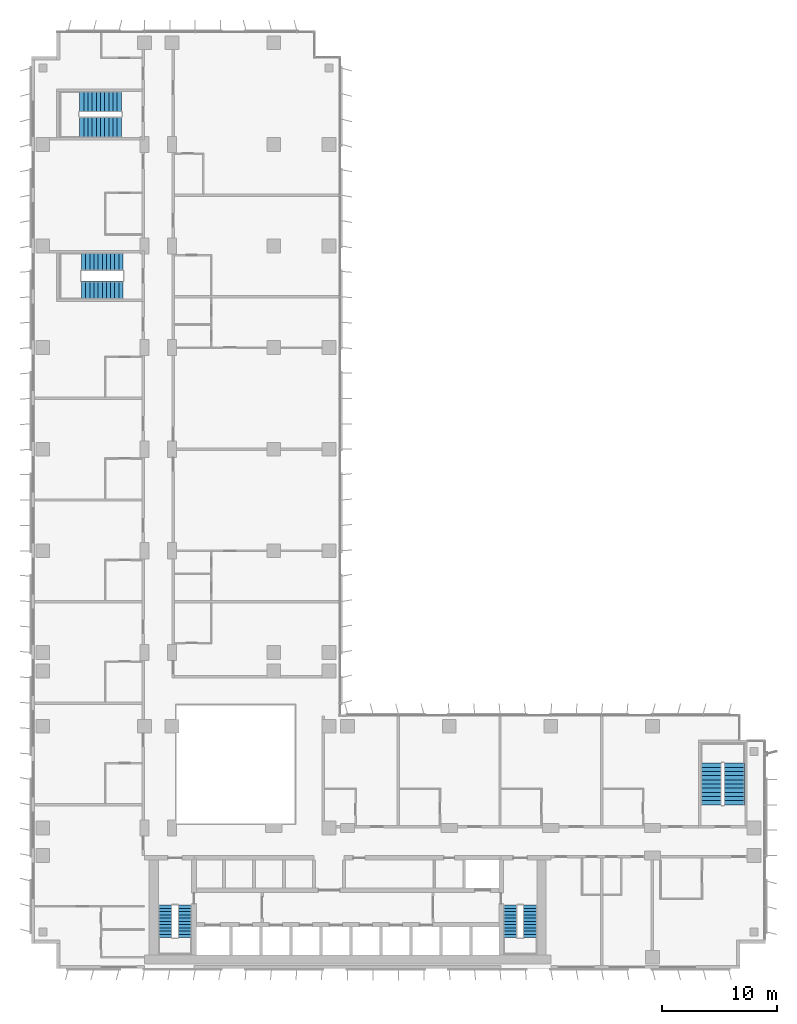
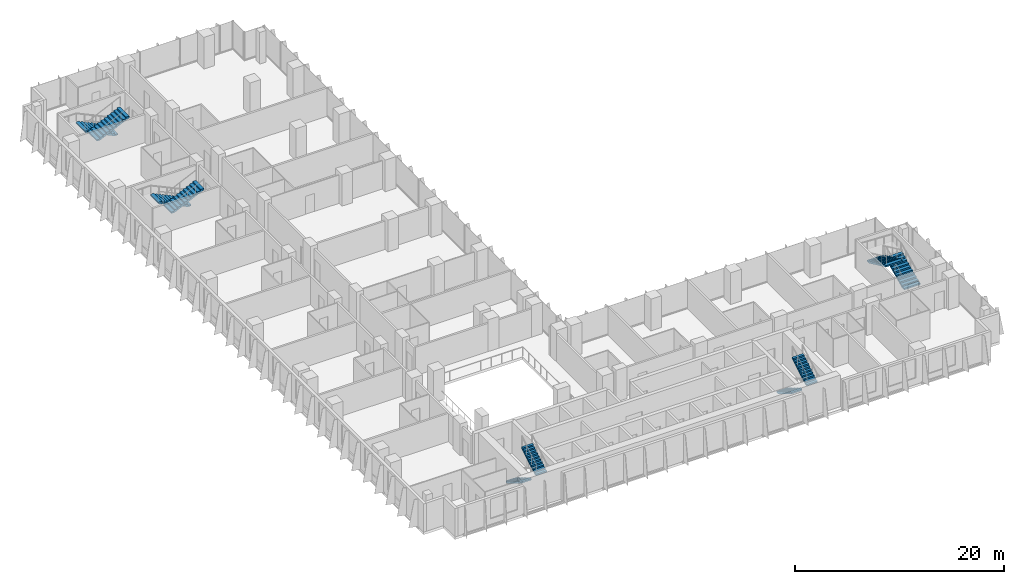
# One storey, part 18 of 22: 10 stair flights, 5 elements without a shape of their own.
"""IFC4 building model written with IfcOpenShell, lengths in metres."""

from ifc_helpers import new_model, si_unit, direction, frame, origin, place, context, subcontext, project, spatial, polyline, outline, extrude, material, type_object, element, aggregate, save


model = new_model("IFC4")

# Units and contexts
model_context = context("Model", 3, precision=1e-05, world=origin(), true_north=direction((0.0, 1.0)))
body_context = subcontext(model_context, "Body", "Model", "MODEL_VIEW")
ifc_project = project(units=[si_unit("LENGTHUNIT", "METRE"), si_unit("AREAUNIT", "SQUARE_METRE"), si_unit("VOLUMEUNIT", "CUBIC_METRE"), si_unit("PLANEANGLEUNIT", "RADIAN"), si_unit("MASSUNIT", "GRAM", prefix="KILO")], contexts=[model_context])

# Site, building, storey
site_placement = place(None, origin())
site = spatial("IfcSite", under=ifc_project, at=site_placement, CompositionType="ELEMENT")
building_placement = place(site_placement, origin())
building = spatial("IfcBuilding", under=site, at=building_placement, Name="Kemantara Hotel Tower", CompositionType="ELEMENT")
storey_placement = place(building_placement, frame((0.0, 0.0, 98.199951171875)))
storey = spatial("IfcBuildingStorey", under=building, at=storey_placement, Name="L23", CompositionType="ELEMENT", Elevation=98.199951171875)

# Stair, stair flights
ifc_material = material(Name="Concrete fc 40 MPa", Category="concrete")
stair_type_1 = type_object("IfcStairType", Name="Stair 1200 wide 22 risers of 168 x 280 mm", PredefinedType="HALF_TURN_STAIR", material=ifc_material)
stair_1_placement = place(storey_placement, origin())
stair_1 = element("IfcStair", 1, at=stair_1_placement, inside=storey, type_object=stair_type_1, Name="L23 Exit stair ST1", PredefinedType="HALF_TURN_STAIR")
stair_flight_type_1 = type_object("IfcStairFlightType", Name="Stair flight 1200 wide 168 x 280 mm", PredefinedType="STRAIGHT", material=ifc_material)
stair_flight_1_placement = place(storey_placement, frame((11.60009765625, 5.5, 0.0), z_axis=(0.0, 0.0, 1.0), x_axis=(0.0, -1.0, 0.0)))
stair_flight_1 = element("IfcStairFlight", 2, at=stair_flight_1_placement, type_object=stair_flight_type_1, Name="ST1 flight 1", NumberOfRisers=11, NumberOfTreads=10, PredefinedType="STRAIGHT", RiserHeight=0.168181818, TreadLength=0.28, context=body_context, shape_type="SweptSolid", body=[
    extrude(outline(polyline([(0.0, 0.0), (0.0, 0.168212890625), (0.280029296875, 0.168212890625), (0.280029296875, 0.33642578125), (0.56005859375, 0.33642578125), (0.56005859375, 0.504638671875), (0.840087890625, 0.504638671875), (0.840087890625, 0.672607421875), (1.1201171875, 0.672607421875), (1.1201171875, 0.8408203125), (1.39990234375, 0.8408203125), (1.39990234375, 1.009033203125), (1.679931640625, 1.009033203125), (1.679931640625, 1.17724609375), (1.9599609375, 1.17724609375), (1.9599609375, 1.345458984375), (2.239990234375, 1.345458984375), (2.239990234375, 1.513671875), (2.52001953125, 1.513671875), (2.52001953125, 1.681884765625), (2.800048828125, 1.681884765625), (2.800048828125, 1.85009765625), (2.800048828125, 1.5068359375), (0.291015625, 0.0), (0.0, 0.0)])), frame((0.0, 0.60009765625, 0.0), z_axis=(0.0, -1.0, 0.0), x_axis=(1.0, 0.0, 0.0)), (0.0, 0.0, 1.0), 1.199951171875),
])
stair_flight_2_placement = place(storey_placement, frame((13.300048828125, 2.699951171875, 1.85009765625), z_axis=(0.0, 0.0, 1.0), x_axis=(0.0, 1.0, 0.0)))
stair_flight_2 = element("IfcStairFlight", 3, at=stair_flight_2_placement, type_object=stair_flight_type_1, Name="ST1 flight 2", NumberOfRisers=11, NumberOfTreads=10, PredefinedType="STRAIGHT", RiserHeight=0.168181818, TreadLength=0.28, context=body_context, shape_type="SweptSolid", body=[
    extrude(outline(polyline([(0.0, 0.0), (0.0, 0.168212890625), (0.280029296875, 0.168212890625), (0.280029296875, 0.33642578125), (0.56005859375, 0.33642578125), (0.56005859375, 0.504638671875), (0.840087890625, 0.504638671875), (0.840087890625, 0.672607421875), (1.1201171875, 0.672607421875), (1.1201171875, 0.8408203125), (1.39990234375, 0.8408203125), (1.39990234375, 1.009033203125), (1.679931640625, 1.009033203125), (1.679931640625, 1.17724609375), (1.9599609375, 1.17724609375), (1.9599609375, 1.345458984375), (2.239990234375, 1.345458984375), (2.239990234375, 1.513671875), (2.52001953125, 1.513671875), (2.52001953125, 1.681884765625), (2.800048828125, 1.681884765625), (2.800048828125, 1.85009765625), (2.800048828125, 1.5068359375), (0.291015625, 0.0), (0.0, 0.0)])), frame((0.0, 0.60009765625, 0.0), z_axis=(0.0, -1.0, 0.0), x_axis=(1.0, 0.0, 0.0)), (0.0, 0.0, 1.0), 1.199951171875),
])
aggregate(stair_1, [stair_flight_1, stair_flight_2])

stair_2_placement = place(storey_placement, origin())
stair_2 = element("IfcStair", 4, at=stair_2_placement, inside=storey, type_object=stair_type_1, Name="L23 Exit stair ST2", PredefinedType="HALF_TURN_STAIR")
stair_flight_3_placement = place(storey_placement, frame((41.5, 5.5, 0.0), z_axis=(0.0, 0.0, 1.0), x_axis=(0.0, -1.0, 0.0)))
stair_flight_3 = element("IfcStairFlight", 5, at=stair_flight_3_placement, type_object=stair_flight_type_1, Name="ST2 flight 1", NumberOfRisers=11, NumberOfTreads=10, PredefinedType="STRAIGHT", RiserHeight=0.168181818, TreadLength=0.28, context=body_context, shape_type="SweptSolid", body=[
    extrude(outline(polyline([(0.0, 0.0), (0.0, 0.168212890625), (0.280029296875, 0.168212890625), (0.280029296875, 0.33642578125), (0.56005859375, 0.33642578125), (0.56005859375, 0.504638671875), (0.840087890625, 0.504638671875), (0.840087890625, 0.672607421875), (1.1201171875, 0.672607421875), (1.1201171875, 0.8408203125), (1.39990234375, 0.8408203125), (1.39990234375, 1.009033203125), (1.679931640625, 1.009033203125), (1.679931640625, 1.17724609375), (1.9599609375, 1.17724609375), (1.9599609375, 1.345458984375), (2.239990234375, 1.345458984375), (2.239990234375, 1.513671875), (2.52001953125, 1.513671875), (2.52001953125, 1.681884765625), (2.800048828125, 1.681884765625), (2.800048828125, 1.85009765625), (2.800048828125, 1.5068359375), (0.291015625, 0.0), (0.0, 0.0)])), frame((0.0, 0.60009765625, 0.0), z_axis=(0.0, -1.0, 0.0), x_axis=(1.0, 0.0, 0.0)), (0.0, 0.0, 1.0), 1.199951171875),
])
stair_flight_4_placement = place(storey_placement, frame((43.199951171875, 2.699951171875, 1.85009765625), z_axis=(0.0, 0.0, 1.0), x_axis=(0.0, 1.0, 0.0)))
stair_flight_4 = element("IfcStairFlight", 6, at=stair_flight_4_placement, type_object=stair_flight_type_1, Name="ST2 flight 2", NumberOfRisers=11, NumberOfTreads=10, PredefinedType="STRAIGHT", RiserHeight=0.168181818, TreadLength=0.28, context=body_context, shape_type="SweptSolid", body=[
    extrude(outline(polyline([(0.0, 0.0), (0.0, 0.168212890625), (0.280029296875, 0.168212890625), (0.280029296875, 0.33642578125), (0.56005859375, 0.33642578125), (0.56005859375, 0.504638671875), (0.840087890625, 0.504638671875), (0.840087890625, 0.672607421875), (1.1201171875, 0.672607421875), (1.1201171875, 0.8408203125), (1.39990234375, 0.8408203125), (1.39990234375, 1.009033203125), (1.679931640625, 1.009033203125), (1.679931640625, 1.17724609375), (1.9599609375, 1.17724609375), (1.9599609375, 1.345458984375), (2.239990234375, 1.345458984375), (2.239990234375, 1.513671875), (2.52001953125, 1.513671875), (2.52001953125, 1.681884765625), (2.800048828125, 1.681884765625), (2.800048828125, 1.85009765625), (2.800048828125, 1.5068359375), (0.291015625, 0.0), (0.0, 0.0)])), frame((0.0, 0.60009765625, 0.0), z_axis=(0.0, -1.0, 0.0), x_axis=(1.0, 0.0, 0.0)), (0.0, 0.0, 1.0), 1.199951171875),
])
aggregate(stair_2, [stair_flight_3, stair_flight_4])

stair_type_2 = type_object("IfcStairType", Name="Stair 1550 wide 22 risers of 168 x 360 mm", PredefinedType="HALF_TURN_STAIR", material=ifc_material)
stair_3_placement = place(storey_placement, origin())
stair_3 = element("IfcStair", 7, at=stair_3_placement, inside=storey, type_object=stair_type_2, Name="L23 Exit stair ST4", PredefinedType="HALF_TURN_STAIR")
stair_flight_type_2 = type_object("IfcStairFlightType", Name="Stair flight 1550 wide 168 x 360 mm", PredefinedType="STRAIGHT", material=ifc_material)
stair_flight_5_placement = place(storey_placement, frame((7.949951171875, 61.22509765625, 0.0), z_axis=(0.0, 0.0, 1.0), x_axis=(-1.0, 0.0, 0.0)))
stair_flight_5 = element("IfcStairFlight", 8, at=stair_flight_5_placement, type_object=stair_flight_type_2, Name="ST4 flight 1", NumberOfRisers=11, NumberOfTreads=10, PredefinedType="STRAIGHT", RiserHeight=0.168181818, TreadLength=0.36, context=body_context, shape_type="SweptSolid", body=[
    extrude(outline(polyline([(0.0, 0.0), (0.0, 0.168212890625), (0.360107421875, 0.168212890625), (0.360107421875, 0.33642578125), (0.719970703125, 0.33642578125), (0.719970703125, 0.504638671875), (1.080078125, 0.504638671875), (1.080078125, 0.672607421875), (1.43994140625, 0.672607421875), (1.43994140625, 0.8408203125), (1.800048828125, 0.8408203125), (1.800048828125, 1.009033203125), (2.159912109375, 1.009033203125), (2.159912109375, 1.17724609375), (2.52001953125, 1.17724609375), (2.52001953125, 1.345458984375), (2.8798828125, 1.345458984375), (2.8798828125, 1.513671875), (3.239990234375, 1.513671875), (3.239990234375, 1.681884765625), (3.60009765625, 1.681884765625), (3.60009765625, 1.85009765625), (3.60009765625, 1.516357421875), (0.354248046875, 0.0), (0.0, 0.0)])), frame((0.0, 0.77490234375, 0.0), z_axis=(0.0, -1.0, 0.0), x_axis=(1.0, 0.0, 0.0)), (0.0, 0.0, 1.0), 1.550048828125),
])
stair_flight_6_placement = place(storey_placement, frame((4.35009765625, 58.77490234375, 1.85009765625), z_axis=(0.0, 0.0, 1.0), x_axis=(1.0, 0.0, 0.0)))
stair_flight_6 = element("IfcStairFlight", 9, at=stair_flight_6_placement, type_object=stair_flight_type_2, Name="ST4 flight 2", NumberOfRisers=11, NumberOfTreads=10, PredefinedType="STRAIGHT", RiserHeight=0.168181818, TreadLength=0.36, context=body_context, shape_type="SweptSolid", body=[
    extrude(outline(polyline([(0.0, 0.0), (0.0, 0.168212890625), (0.360107421875, 0.168212890625), (0.360107421875, 0.33642578125), (0.719970703125, 0.33642578125), (0.719970703125, 0.504638671875), (1.080078125, 0.504638671875), (1.080078125, 0.672607421875), (1.43994140625, 0.672607421875), (1.43994140625, 0.8408203125), (1.800048828125, 0.8408203125), (1.800048828125, 1.009033203125), (2.159912109375, 1.009033203125), (2.159912109375, 1.17724609375), (2.52001953125, 1.17724609375), (2.52001953125, 1.345458984375), (2.8798828125, 1.345458984375), (2.8798828125, 1.513671875), (3.239990234375, 1.513671875), (3.239990234375, 1.681884765625), (3.60009765625, 1.681884765625), (3.60009765625, 1.85009765625), (3.60009765625, 1.516357421875), (0.354248046875, 0.0), (0.0, 0.0)])), frame((0.0, 0.77490234375, 0.0), z_axis=(0.0, -1.0, 0.0), x_axis=(1.0, 0.0, 0.0)), (0.0, 0.0, 1.0), 1.550048828125),
])
aggregate(stair_3, [stair_flight_5, stair_flight_6])

stair_type_3 = type_object("IfcStairType", Name="Stair 1800 wide 22 risers of 168 x 360 mm", PredefinedType="HALF_TURN_STAIR", material=ifc_material)
stair_4_placement = place(storey_placement, origin())
stair_4 = element("IfcStair", 10, at=stair_4_placement, inside=storey, type_object=stair_type_3, Name="L23 Exit stair ST3", PredefinedType="HALF_TURN_STAIR")
stair_flight_type_3 = type_object("IfcStairFlightType", Name="Stair flight 1800 wide 168 x 360 mm", PredefinedType="STRAIGHT", material=ifc_material)
stair_flight_7_placement = place(storey_placement, frame((60.89990234375, 14.199951171875, 0.0), z_axis=(0.0, 0.0, 1.0), x_axis=(0.0, 1.0, 0.0)))
stair_flight_7 = element("IfcStairFlight", 11, at=stair_flight_7_placement, type_object=stair_flight_type_3, Name="ST3 flight 1", NumberOfRisers=11, NumberOfTreads=10, PredefinedType="STRAIGHT", RiserHeight=0.168181818, TreadLength=0.36, context=body_context, shape_type="SweptSolid", body=[
    extrude(outline(polyline([(0.0, 0.0), (0.0, 0.168212890625), (0.360107421875, 0.168212890625), (0.360107421875, 0.33642578125), (0.719970703125, 0.33642578125), (0.719970703125, 0.504638671875), (1.080078125, 0.504638671875), (1.080078125, 0.672607421875), (1.43994140625, 0.672607421875), (1.43994140625, 0.8408203125), (1.800048828125, 0.8408203125), (1.800048828125, 1.009033203125), (2.159912109375, 1.009033203125), (2.159912109375, 1.17724609375), (2.52001953125, 1.17724609375), (2.52001953125, 1.345458984375), (2.8798828125, 1.345458984375), (2.8798828125, 1.513671875), (3.239990234375, 1.513671875), (3.239990234375, 1.681884765625), (3.60009765625, 1.681884765625), (3.60009765625, 1.85009765625), (3.60009765625, 1.516357421875), (0.354248046875, 0.0), (0.0, 0.0)])), frame((0.0, 0.89990234375, 0.0), z_axis=(0.0, -1.0, 0.0), x_axis=(1.0, 0.0, 0.0)), (0.0, 0.0, 1.0), 1.800048828125),
])
stair_flight_8_placement = place(storey_placement, frame((58.89990234375, 17.800048828125, 1.85009765625), z_axis=(0.0, 0.0, 1.0), x_axis=(0.0, -1.0, 0.0)))
stair_flight_8 = element("IfcStairFlight", 12, at=stair_flight_8_placement, type_object=stair_flight_type_3, Name="ST3 flight 2", NumberOfRisers=11, NumberOfTreads=10, PredefinedType="STRAIGHT", RiserHeight=0.168181818, TreadLength=0.36, context=body_context, shape_type="SweptSolid", body=[
    extrude(outline(polyline([(0.0, 0.0), (0.0, 0.168212890625), (0.360107421875, 0.168212890625), (0.360107421875, 0.33642578125), (0.719970703125, 0.33642578125), (0.719970703125, 0.504638671875), (1.080078125, 0.504638671875), (1.080078125, 0.672607421875), (1.43994140625, 0.672607421875), (1.43994140625, 0.8408203125), (1.800048828125, 0.8408203125), (1.800048828125, 1.009033203125), (2.159912109375, 1.009033203125), (2.159912109375, 1.17724609375), (2.52001953125, 1.17724609375), (2.52001953125, 1.345458984375), (2.8798828125, 1.345458984375), (2.8798828125, 1.513671875), (3.239990234375, 1.513671875), (3.239990234375, 1.681884765625), (3.60009765625, 1.681884765625), (3.60009765625, 1.85009765625), (3.60009765625, 1.516357421875), (0.354248046875, 0.0), (0.0, 0.0)])), frame((0.0, 0.89990234375, 0.0), z_axis=(0.0, -1.0, 0.0), x_axis=(1.0, 0.0, 0.0)), (0.0, 0.0, 1.0), 1.800048828125),
])
aggregate(stair_4, [stair_flight_7, stair_flight_8])

stair_5_placement = place(storey_placement, origin())
stair_5 = element("IfcStair", 13, at=stair_5_placement, inside=storey, type_object=stair_type_3, Name="L23 Exit stair ST6", PredefinedType="HALF_TURN_STAIR")
stair_flight_9_placement = place(storey_placement, frame((7.800048828125, 75.10009765625, 0.0), z_axis=(0.0, 0.0, 1.0), x_axis=(-1.0, 0.0, 0.0)))
stair_flight_9 = element("IfcStairFlight", 14, at=stair_flight_9_placement, type_object=stair_flight_type_3, Name="ST6 flight 1", NumberOfRisers=11, NumberOfTreads=10, PredefinedType="STRAIGHT", RiserHeight=0.168181818, TreadLength=0.36, context=body_context, shape_type="SweptSolid", body=[
    extrude(outline(polyline([(0.0, 0.0), (0.0, 0.168212890625), (0.360107421875, 0.168212890625), (0.360107421875, 0.33642578125), (0.719970703125, 0.33642578125), (0.719970703125, 0.504638671875), (1.080078125, 0.504638671875), (1.080078125, 0.672607421875), (1.43994140625, 0.672607421875), (1.43994140625, 0.8408203125), (1.800048828125, 0.8408203125), (1.800048828125, 1.009033203125), (2.159912109375, 1.009033203125), (2.159912109375, 1.17724609375), (2.52001953125, 1.17724609375), (2.52001953125, 1.345458984375), (2.8798828125, 1.345458984375), (2.8798828125, 1.513671875), (3.239990234375, 1.513671875), (3.239990234375, 1.681884765625), (3.60009765625, 1.681884765625), (3.60009765625, 1.85009765625), (3.60009765625, 1.516357421875), (0.354248046875, 0.0), (0.0, 0.0)])), frame((0.0, 0.89990234375, 0.0), z_axis=(0.0, -1.0, 0.0), x_axis=(1.0, 0.0, 0.0)), (0.0, 0.0, 1.0), 1.800048828125),
])
stair_flight_10_placement = place(storey_placement, frame((4.199951171875, 72.89990234375, 1.85009765625), z_axis=(0.0, 0.0, 1.0), x_axis=(1.0, 0.0, 0.0)))
stair_flight_10 = element("IfcStairFlight", 15, at=stair_flight_10_placement, type_object=stair_flight_type_3, Name="ST6 flight 2", NumberOfRisers=11, NumberOfTreads=10, PredefinedType="STRAIGHT", RiserHeight=0.168181818, TreadLength=0.36, context=body_context, shape_type="SweptSolid", body=[
    extrude(outline(polyline([(0.0, 0.0), (0.0, 0.168212890625), (0.360107421875, 0.168212890625), (0.360107421875, 0.33642578125), (0.719970703125, 0.33642578125), (0.719970703125, 0.504638671875), (1.080078125, 0.504638671875), (1.080078125, 0.672607421875), (1.43994140625, 0.672607421875), (1.43994140625, 0.8408203125), (1.800048828125, 0.8408203125), (1.800048828125, 1.009033203125), (2.159912109375, 1.009033203125), (2.159912109375, 1.17724609375), (2.52001953125, 1.17724609375), (2.52001953125, 1.345458984375), (2.8798828125, 1.345458984375), (2.8798828125, 1.513671875), (3.239990234375, 1.513671875), (3.239990234375, 1.681884765625), (3.60009765625, 1.681884765625), (3.60009765625, 1.85009765625), (3.60009765625, 1.516357421875), (0.354248046875, 0.0), (0.0, 0.0)])), frame((0.0, 0.89990234375, 0.0), z_axis=(0.0, -1.0, 0.0), x_axis=(1.0, 0.0, 0.0)), (0.0, 0.0, 1.0), 1.800048828125),
])
aggregate(stair_5, [stair_flight_9, stair_flight_10])

save(model, "model.ifc")
